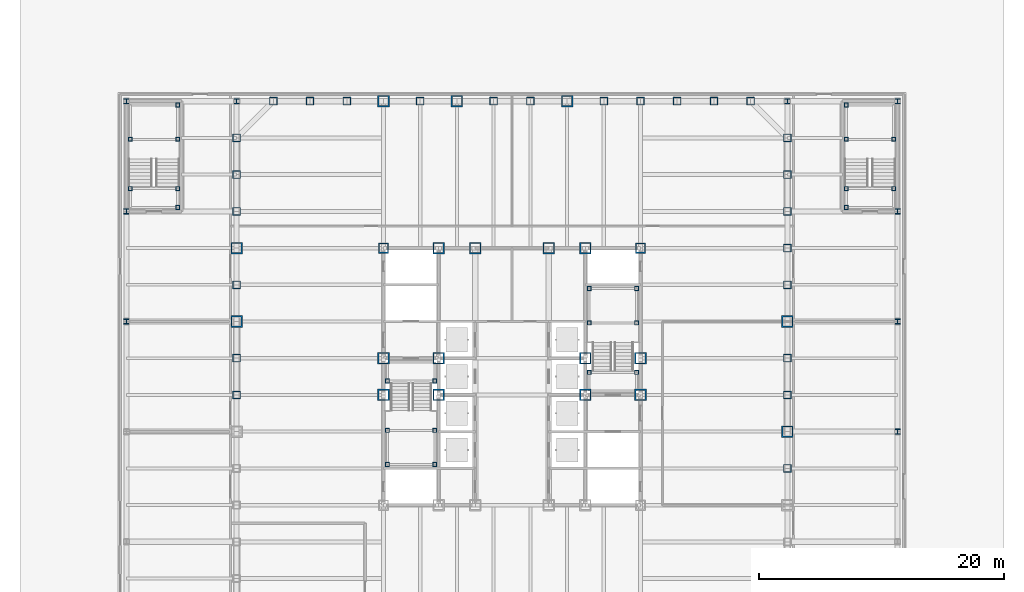
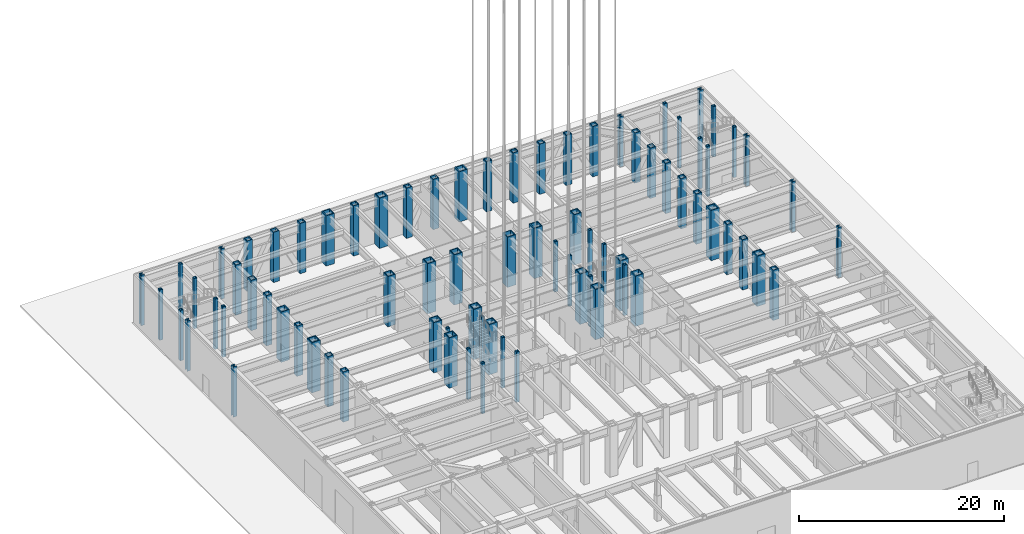
# One storey, part 2 of 35: 79 columns.
"""IFC4 building model written with IfcOpenShell, lengths in metres."""

from ifc_helpers import new_model, si_unit, direction, frame, origin, origin_2d, place, context, subcontext, project, spatial, hollow_rectangle, i_section, extrude, material, material_profile, profile_set, type_object, element, save


model = new_model("IFC4")

# Units and contexts
model_context = context("Model", 3, precision=1e-05, world=origin(), true_north=direction((0.0, 1.0)))
body_context = subcontext(model_context, "Body", "Model", "MODEL_VIEW")
ifc_project = project(units=[si_unit("LENGTHUNIT", "METRE"), si_unit("AREAUNIT", "SQUARE_METRE"), si_unit("VOLUMEUNIT", "CUBIC_METRE"), si_unit("PLANEANGLEUNIT", "RADIAN"), si_unit("MASSUNIT", "GRAM", prefix="KILO")], contexts=[model_context])

# Site, building, storey
site_placement = place(None, origin())
site = spatial("IfcSite", under=ifc_project, at=site_placement, CompositionType="ELEMENT")
building_placement = place(site_placement, origin())
building = spatial("IfcBuilding", under=site, at=building_placement, Name="Chuquiago Exchange Tower", CompositionType="ELEMENT")
storey_placement = place(building_placement, origin())
storey = spatial("IfcBuildingStorey", under=building, at=storey_placement, Name="L00", CompositionType="ELEMENT", Elevation=0.0)

# Columns
ifc_material_1 = material(Name="Steel ASTM A572 Grade 50", Category="steel")
ifc_material_profile_1 = material_profile(ifc_material_1, hollow_rectangle(XDim=0.64990234375, YDim=0.64990234375, WallThickness=0.06494140625, at=origin_2d()), Name="BOX650X650X65")
ifc_profile_set_1 = profile_set([ifc_material_profile_1], Name="Steel ASTM A572 Grade 50")
column_type_1 = type_object("IfcColumnType", Name="C1 BOX650X650X65", PredefinedType="COLUMN", material=ifc_profile_set_1)
for number, where, z_axis, x_axis, name in (
    (1, (45.0, 15.0, 0.0), (0.0, 0.0, 1.0), (1.0, 0.0, 0.0), "COL-L00-45_15"),
    (2, (45.0, 21.0, 0.0), (0.0, 0.0, 1.0), (1.0, 0.0, 0.0), "COL-L00-45_21"),
    (3, (45.0, 24.0, 0.0), (0.0, 0.0, 1.0), (1.0, 0.0, 0.0), "COL-L00-45_24"),
    (4, (45.0, 30.0, 0.0), (0.0, 0.0, 1.0), (1.0, 0.0, 0.0), "COL-L00-45_30"),
    (5, (45.0, 33.0, 0.0), (0.0, 0.0, 1.0), (1.0, 0.0, 0.0), "COL-L00-45_33"),
    (6, (45.0, 36.0, 0.0), (0.0, 0.0, 1.0), (1.0, 0.0, 0.0), "COL-L00-45_36"),
    (7, (45.0, 39.0, 0.0), (0.0, 0.0, 1.0), (1.0, 0.0, 0.0), "COL-L00-45_39"),
    (8, (45.0, 42.0, 0.0), (0.0, 0.0, 1.0), (1.0, 0.0, 0.0), "COL-L00-45_42"),
    (9, (42.0, 45.0, 0.0), (0.0, 0.0, 1.0), (0.0, 1.0, 0.0), "COL-L00-42_45"),
    (10, (39.0, 45.0, 0.0), (0.0, 0.0, 1.0), (0.0, 1.0, 0.0), "COL-L00-39_45"),
    (11, (36.0, 45.0, 0.0), (0.0, 0.0, 1.0), (0.0, 1.0, 0.0), "COL-L00-36_45"),
    (12, (33.0, 45.0, 0.0), (0.0, 0.0, 1.0), (0.0, 1.0, 0.0), "COL-L00-33_45"),
    (13, (30.0, 45.0, 0.0), (0.0, 0.0, 1.0), (0.0, 1.0, 0.0), "COL-L00-30_45"),
    (14, (24.0, 45.0, 0.0), (0.0, 0.0, 1.0), (0.0, 1.0, 0.0), "COL-L00-24_45"),
    (15, (21.0, 45.0, 0.0), (0.0, 0.0, 1.0), (0.0, 1.0, 0.0), "COL-L00-21_45"),
    (16, (15.0, 45.0, 0.0), (0.0, 0.0, 1.0), (0.0, 1.0, 0.0), "COL-L00-15_45"),
    (17, (9.0, 45.0, 0.0), (0.0, 0.0, 1.0), (0.0, 1.0, 0.0), "COL-L00-9_45"),
    (18, (6.0, 45.0, 0.0), (0.0, 0.0, 1.0), (0.0, 1.0, 0.0), "COL-L00-6_45"),
    (19, (3.0, 45.0, 0.0), (0.0, 0.0, 1.0), (0.0, 1.0, 0.0), "COL-L00-3_45"),
    (20, (0.0, 42.0, 0.0), (0.0, 0.0, 1.0), (-1.0, 0.0, 0.0), "COL-L00-0_42"),
    (21, (0.0, 39.0, 0.0), (0.0, 0.0, 1.0), (-1.0, 0.0, 0.0), "COL-L00-0_39"),
    (22, (0.0, 36.0, 0.0), (0.0, 0.0, 1.0), (-1.0, 0.0, 0.0), "COL-L00-0_36"),
    (23, (0.0, 30.0, 0.0), (0.0, 0.0, 1.0), (-1.0, 0.0, 0.0), "COL-L00-0_30"),
    (24, (0.0, 24.0, 0.0), (0.0, 0.0, 1.0), (-1.0, 0.0, 0.0), "COL-L00-0_24"),
    (25, (0.0, 21.0, 0.0), (0.0, 0.0, 1.0), (-1.0, 0.0, 0.0), "COL-L00-0_21"),
):
    element("IfcColumn", number, at=place(storey_placement, frame(where, z_axis=z_axis, x_axis=x_axis)), inside=storey, type_object=column_type_1, Name=name, PredefinedType="COLUMN", context=body_context, shape_type="SweptSolid", body=[
        extrude(hollow_rectangle(XDim=0.64990234375, YDim=0.64990234375, WallThickness=0.06494140625, at=origin_2d()), origin(), (0.0, 0.0, 1.0), 6.0),
    ])
ifc_material_2 = material(Name="Steel ASTM A572 Grade 50", Category="steel")
ifc_material_profile_2 = material_profile(ifc_material_2, hollow_rectangle(XDim=0.949951171875, YDim=0.949951171875, WallThickness=0.094970703125, at=origin_2d()), Name="BOX950X950X95")
ifc_profile_set_2 = profile_set([ifc_material_profile_2], Name="Steel ASTM A572 Grade 50")
column_type_2 = type_object("IfcColumnType", Name="CC1 BOX950X950X95", PredefinedType="COLUMN", material=ifc_profile_set_2)
for number, where, z_axis, x_axis, name in (
    (26, (16.5, 33.0, 0.0), (0.0, 0.0, 1.0), (1.0, 0.0, 0.0), "CCOL-L00-16.5_33"),
    (27, (19.5, 33.0, 0.0), (0.0, 0.0, 1.0), (1.0, 0.0, 0.0), "CCOL-L00-19.5_33"),
    (28, (25.5, 33.0, 0.0), (0.0, 0.0, 1.0), (1.0, 0.0, 0.0), "CCOL-L00-25.5_33"),
    (29, (28.5, 33.0, 0.0), (0.0, 0.0, 1.0), (1.0, 0.0, 0.0), "CCOL-L00-28.5_33"),
    (30, (12.0, 21.0, 0.0), (0.0, 0.0, 1.0), (1.0, 0.0, 0.0), "CCOL-L00-12_21"),
    (31, (12.0, 24.0, 0.0), (0.0, 0.0, 1.0), (1.0, 0.0, 0.0), "CCOL-L00-12_24"),
    (32, (33.0, 21.0, 0.0), (0.0, 0.0, 1.0), (1.0, 0.0, 0.0), "CCOL-L00-33_21"),
    (33, (33.0, 24.0, 0.0), (0.0, 0.0, 1.0), (1.0, 0.0, 0.0), "CCOL-L00-33_24"),
    (34, (16.5, 21.0, 0.0), (0.0, 0.0, 1.0), (1.0, 0.0, 0.0), "CCOL-L00-16.5_21"),
    (35, (16.5, 24.0, 0.0), (0.0, 0.0, 1.0), (1.0, 0.0, 0.0), "CCOL-L00-16.5_24"),
    (36, (28.5, 21.0, 0.0), (0.0, 0.0, 1.0), (1.0, 0.0, 0.0), "CCOL-L00-28.5_21"),
    (37, (28.5, 24.0, 0.0), (0.0, 0.0, 1.0), (1.0, 0.0, 0.0), "CCOL-L00-28.5_24"),
):
    element("IfcColumn", number, at=place(storey_placement, frame(where, z_axis=z_axis, x_axis=x_axis)), inside=storey, type_object=column_type_2, Name=name, PredefinedType="COLUMN", context=body_context, shape_type="SweptSolid", body=[
        extrude(hollow_rectangle(XDim=0.949951171875, YDim=0.949951171875, WallThickness=0.094970703125, at=origin_2d()), origin(), (0.0, 0.0, 1.0), 6.0),
    ])
ifc_material_3 = material(Name="Steel ASTM A572 Grade 50", Category="steel")
ifc_material_profile_3 = material_profile(ifc_material_3, hollow_rectangle(XDim=0.85009765625, YDim=0.85009765625, WallThickness=0.0849609375, at=origin_2d()), Name="BOX850X850X85")
ifc_profile_set_3 = profile_set([ifc_material_profile_3], Name="Steel ASTM A572 Grade 50")
column_type_3 = type_object("IfcColumnType", Name="CC6 BOX850X850X85", PredefinedType="COLUMN", material=ifc_profile_set_3)
for number, where, z_axis, x_axis, name in (
    (38, (12.0, 33.0, 0.0), (0.0, 0.0, 1.0), (1.0, 0.0, 0.0), "CCOL-L00-12_33"),
    (39, (33.0, 33.0, 0.0), (0.0, 0.0, 1.0), (1.0, 0.0, 0.0), "CCOL-L00-33_33"),
):
    element("IfcColumn", number, at=place(storey_placement, frame(where, z_axis=z_axis, x_axis=x_axis)), inside=storey, type_object=column_type_3, Name=name, PredefinedType="COLUMN", context=body_context, shape_type="SweptSolid", body=[
        extrude(hollow_rectangle(XDim=0.85009765625, YDim=0.85009765625, WallThickness=0.0849609375, at=origin_2d()), origin(), (0.0, 0.0, 1.0), 6.0),
    ])
ifc_material_4 = material(Name="Steel ASTM A572 Grade 42", Category="steel")
ifc_material_profile_4 = material_profile(ifc_material_4, hollow_rectangle(XDim=0.949951171875, YDim=0.949951171875, WallThickness=0.110107421875, at=origin_2d()), Name="BOX950X950X110")
ifc_profile_set_4 = profile_set([ifc_material_profile_4], Name="Steel ASTM A572 Grade 42")
column_type_4 = type_object("IfcColumnType", Name="CT1 BOX950X950X110", PredefinedType="COLUMN", material=ifc_profile_set_4)
for number, where, z_axis, x_axis, name in (
    (40, (45.0, 18.0, 0.0), (0.0, 0.0, 1.0), (1.0, 0.0, 0.0), "COL-L00-45_18"),
    (41, (45.0, 27.0, 0.0), (0.0, 0.0, 1.0), (1.0, 0.0, 0.0), "COL-L00-45_27"),
    (42, (27.0, 45.0, 0.0), (0.0, 0.0, 1.0), (0.0, 1.0, 0.0), "COL-L00-27_45"),
    (43, (18.0, 45.0, 0.0), (0.0, 0.0, 1.0), (0.0, 1.0, 0.0), "COL-L00-18_45"),
    (44, (12.0, 45.0, 0.0), (0.0, 0.0, 1.0), (0.0, 1.0, 0.0), "COL-L00-12_45"),
    (45, (0.0, 33.0, 0.0), (0.0, 0.0, 1.0), (-1.0, 0.0, 0.0), "COL-L00-0_33"),
    (46, (0.0, 27.0, 0.0), (0.0, 0.0, 1.0), (-1.0, 0.0, 0.0), "COL-L00-0_27"),
):
    element("IfcColumn", number, at=place(storey_placement, frame(where, z_axis=z_axis, x_axis=x_axis)), inside=storey, type_object=column_type_4, Name=name, PredefinedType="COLUMN", context=body_context, shape_type="SweptSolid", body=[
        extrude(hollow_rectangle(XDim=0.949951171875, YDim=0.949951171875, WallThickness=0.110107421875, at=origin_2d()), origin(), (0.0, 0.0, 1.0), 6.0),
    ])
ifc_material_5 = material(Name="Steel ASTM A992", Category="steel")
ifc_material_profile_5 = material_profile(ifc_material_5, i_section(OverallWidth=0.411376953125, OverallDepth=0.434326171875, WebThickness=0.035888671875, FlangeThickness=0.057373046875, at=origin_2d()), Name="W14X311")
ifc_profile_set_5 = profile_set([ifc_material_profile_5], Name="Steel ASTM A992")
column_type_5 = type_object("IfcColumnType", Name="PC1 W14X311", PredefinedType="COLUMN", material=ifc_profile_set_5)
for number, where, z_axis, x_axis, name in (
    (47, (-9.0, 27.0, 0.0), (0.0, 0.0, 1.0), (1.0, 0.0, 0.0), "PCOL-L00--9_27"),
    (48, (-9.0, 36.0, 0.0), (0.0, 0.0, 1.0), (1.0, 0.0, 0.0), "PCOL-L00--9_36"),
    (49, (-9.0, 45.0, 0.0), (0.0, 0.0, 1.0), (1.0, 0.0, 0.0), "PCOL-L00--9_45"),
    (50, (0.0, 45.0, 0.0), (0.0, 0.0, 1.0), (1.0, 0.0, 0.0), "PCOL-L00-0_45"),
    (51, (45.0, 45.0, 0.0), (0.0, 0.0, 1.0), (1.0, 0.0, 0.0), "PCOL-L00-45_45"),
    (52, (54.0, 18.0, 0.0), (0.0, 0.0, 1.0), (1.0, 0.0, 0.0), "PCOL-L00-54_18"),
    (53, (54.0, 27.0, 0.0), (0.0, 0.0, 1.0), (1.0, 0.0, 0.0), "PCOL-L00-54_27"),
    (54, (54.0, 36.0, 0.0), (0.0, 0.0, 1.0), (1.0, 0.0, 0.0), "PCOL-L00-54_36"),
    (55, (54.0, 45.0, 0.0), (0.0, 0.0, 1.0), (1.0, 0.0, 0.0), "PCOL-L00-54_45"),
):
    element("IfcColumn", number, at=place(storey_placement, frame(where, z_axis=z_axis, x_axis=x_axis)), inside=storey, type_object=column_type_5, Name=name, PredefinedType="COLUMN", context=body_context, shape_type="SweptSolid", body=[
        extrude(i_section(OverallWidth=0.411376953125, OverallDepth=0.434326171875, WebThickness=0.035888671875, FlangeThickness=0.057373046875, at=origin_2d()), origin(), (0.0, 0.0, 1.0), 6.0),
    ])
ifc_material_6 = material(Name="Steel ASTM A572 Grade 50", Category="steel")
ifc_material_profile_6 = material_profile(ifc_material_6, hollow_rectangle(XDim=0.35009765625, YDim=0.35009765625, WallThickness=0.034912109375, at=origin_2d()), Name="BOX350X350X35")
ifc_profile_set_6 = profile_set([ifc_material_profile_6], Name="Steel ASTM A572 Grade 50")
column_type_6 = type_object("IfcColumnType", Name="PT3 BOX350X350X35", PredefinedType="COLUMN", material=ifc_profile_set_6)
for number, where, z_axis, x_axis, name in (
    (56, (12.31005859375, 15.31005859375, 0.0), (0.0, 0.0, 1.0), (1.0, 0.0, 0.0), "Stair ST1 L00 landing post"),
    (57, (16.18994140625, 15.31005859375, 0.0), (0.0, 0.0, 1.0), (1.0, 0.0, 0.0), "Stair ST1 L00 landing post"),
    (58, (12.31005859375, 18.110107421875, 0.0), (0.0, 0.0, 1.0), (1.0, 0.0, 0.0), "Stair ST1 L00 landing post"),
    (59, (16.18994140625, 18.110107421875, 0.0), (0.0, 0.0, 1.0), (1.0, 0.0, 0.0), "Stair ST1 L00 landing post"),
    (60, (12.31005859375, 22.14990234375, 0.0), (0.0, 0.0, 1.0), (1.0, 0.0, 0.0), "Stair ST1 L00 landing post"),
    (61, (16.18994140625, 22.14990234375, 0.0), (0.0, 0.0, 1.0), (1.0, 0.0, 0.0), "Stair ST1 L00 landing post"),
    (62, (28.81005859375, 29.68994140625, 0.0), (0.0, 0.0, 1.0), (1.0, 0.0, 0.0), "Stair ST2 L00 landing post"),
    (63, (32.68994140625, 29.68994140625, 0.0), (0.0, 0.0, 1.0), (1.0, 0.0, 0.0), "Stair ST2 L00 landing post"),
    (64, (28.81005859375, 26.889892578125, 0.0), (0.0, 0.0, 1.0), (1.0, 0.0, 0.0), "Stair ST2 L00 landing post"),
    (65, (32.68994140625, 26.889892578125, 0.0), (0.0, 0.0, 1.0), (1.0, 0.0, 0.0), "Stair ST2 L00 landing post"),
    (66, (28.81005859375, 22.85009765625, 0.0), (0.0, 0.0, 1.0), (1.0, 0.0, 0.0), "Stair ST2 L00 landing post"),
    (67, (32.68994140625, 22.85009765625, 0.0), (0.0, 0.0, 1.0), (1.0, 0.0, 0.0), "Stair ST2 L00 landing post"),
    (68, (-4.81005859375, 44.68994140625, 0.0), (0.0, 0.0, 1.0), (1.0, 0.0, 0.0), "Stair PS3 L00 landing post"),
    (69, (-8.68994140625, 41.889892578125, 0.0), (0.0, 0.0, 1.0), (1.0, 0.0, 0.0), "Stair PS3 L00 landing post"),
    (70, (-4.81005859375, 41.889892578125, 0.0), (0.0, 0.0, 1.0), (1.0, 0.0, 0.0), "Stair PS3 L00 landing post"),
    (71, (-8.68994140625, 37.85009765625, 0.0), (0.0, 0.0, 1.0), (1.0, 0.0, 0.0), "Stair PS3 L00 landing post"),
    (72, (-4.81005859375, 37.85009765625, 0.0), (0.0, 0.0, 1.0), (1.0, 0.0, 0.0), "Stair PS3 L00 landing post"),
    (73, (-4.81005859375, 36.31005859375, 0.0), (0.0, 0.0, 1.0), (1.0, 0.0, 0.0), "Stair PS3 L00 landing post"),
    (74, (49.81005859375, 44.68994140625, 0.0), (0.0, 0.0, 1.0), (1.0, 0.0, 0.0), "Stair PS4 L00 landing post"),
    (75, (49.81005859375, 41.889892578125, 0.0), (0.0, 0.0, 1.0), (1.0, 0.0, 0.0), "Stair PS4 L00 landing post"),
    (76, (53.68994140625, 41.889892578125, 0.0), (0.0, 0.0, 1.0), (1.0, 0.0, 0.0), "Stair PS4 L00 landing post"),
    (77, (49.81005859375, 37.85009765625, 0.0), (0.0, 0.0, 1.0), (1.0, 0.0, 0.0), "Stair PS4 L00 landing post"),
    (78, (53.68994140625, 37.85009765625, 0.0), (0.0, 0.0, 1.0), (1.0, 0.0, 0.0), "Stair PS4 L00 landing post"),
    (79, (49.81005859375, 36.31005859375, 0.0), (0.0, 0.0, 1.0), (1.0, 0.0, 0.0), "Stair PS4 L00 landing post"),
):
    element("IfcColumn", number, at=place(storey_placement, frame(where, z_axis=z_axis, x_axis=x_axis)), inside=storey, type_object=column_type_6, Name=name, PredefinedType="COLUMN", context=body_context, shape_type="SweptSolid", body=[
        extrude(hollow_rectangle(XDim=0.35009765625, YDim=0.35009765625, WallThickness=0.034912109375, at=origin_2d()), origin(), (0.0, 0.0, 1.0), 6.0),
    ])

save(model, "model.ifc")
